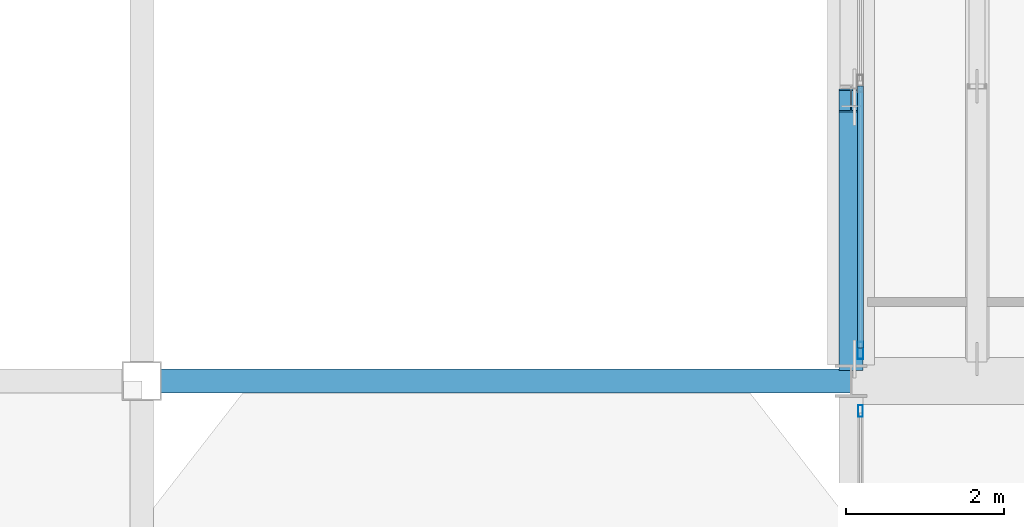
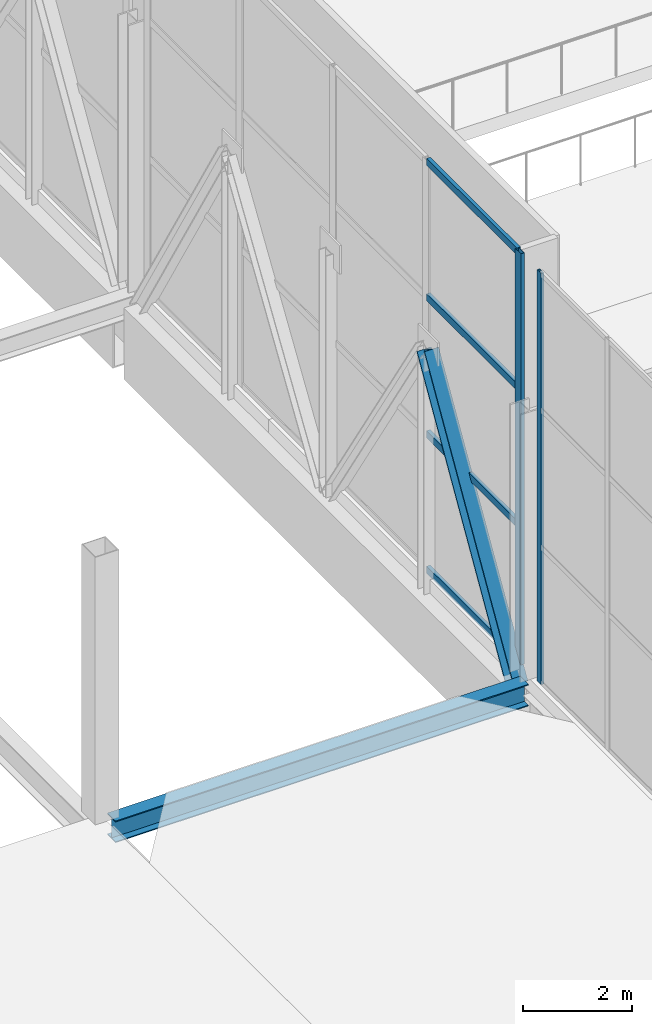
# One storey, part 29 of 191: 7 members, 1 beam, 2 elements without a shape of their own.
"""IFC4 building model written with IfcOpenShell, lengths in metres."""

from ifc_helpers import new_model, si_unit, direction, frame, origin, origin_2d, place, context, subcontext, project, spatial, hollow_rectangle, i_section, extrude, material, layer, layer_set, material_profile, profile_set, type_object, element, aggregate, save


model = new_model("IFC4")

# Units and contexts
model_context = context("Model", 3, precision=1e-05, world=origin(), true_north=direction((0.0, 1.0)))
body_context = subcontext(model_context, "Body", "Model", "MODEL_VIEW")
ifc_project = project(units=[si_unit("LENGTHUNIT", "METRE"), si_unit("AREAUNIT", "SQUARE_METRE"), si_unit("VOLUMEUNIT", "CUBIC_METRE"), si_unit("PLANEANGLEUNIT", "RADIAN"), si_unit("MASSUNIT", "GRAM", prefix="KILO")], contexts=[model_context])

# Site, building, storey
site_placement = place(None, origin())
site = spatial("IfcSite", under=ifc_project, at=site_placement, CompositionType="ELEMENT")
building_placement = place(site_placement, origin())
building = spatial("IfcBuilding", under=site, at=building_placement, Name="Tamarisk Ironworks Central Station", CompositionType="ELEMENT")
storey_placement = place(building_placement, frame((0.0, 0.0, 6.60009765625)))
storey = spatial("IfcBuildingStorey", under=building, at=storey_placement, Name="L01", CompositionType="ELEMENT", Elevation=6.60009765625)

# Beam
ifc_material_1 = material(Name="Structural steel S355J2", Category="steel")
ifc_material_profile_1 = material_profile(ifc_material_1, i_section(OverallWidth=0.300048828125, OverallDepth=0.489990234375, WebThickness=0.011962890625, FlangeThickness=0.02294921875, at=origin_2d()), Name="HEA 500")
ifc_profile_set_1 = profile_set([ifc_material_profile_1], Name="Structural steel S355J2")
beam_type = type_object("IfcBeamType", Name="BM-G05", PredefinedType="BEAM", material=ifc_profile_set_1)
beam_placement = place(storey_placement, frame((45.238037109375, 21.60009765625, -0.385009765625), z_axis=(1.0, 0.0, 0.0), x_axis=(0.0, 1.0, 0.0)))
element("IfcBeam", 1, at=beam_placement, inside=storey, type_object=beam_type, Name="L01 primary girder X-0032", PredefinedType="BEAM", context=body_context, shape_type="SweptSolid", body=[
    extrude(i_section(OverallWidth=0.300048828125, OverallDepth=0.489990234375, WebThickness=0.011962890625, FlangeThickness=0.02294921875, at=origin_2d()), origin(), (0.0, 0.0, 1.0), 8.758056640625),
])

# Curtain wall, member
ifc_material_2 = material(Name="Anodized aluminium alloy 6063-T6", Category="aluminium")
ifc_layer_1 = layer(ifc_material_2, 0.179931640625)
ifc_layer_set_1 = layer_set([ifc_layer_1], Name="Anodized aluminium alloy 6063-T6")
curtain_wall_type_1 = type_object("IfcCurtainWallType", Name="CW-06", PredefinedType="USERDEFINED", material=ifc_layer_set_1)
curtain_wall_1_placement = place(storey_placement, origin())
curtain_wall_1 = element("IfcCurtainWall", 2, at=curtain_wall_1_placement, inside=storey, type_object=curtain_wall_type_1, Name="Concourse W track-overlook curtain wall 02", ObjectType="GLAZED CURTAIN WALL", PredefinedType="USERDEFINED")
ifc_material_profile_2 = material_profile(ifc_material_2, hollow_rectangle(XDim=0.074951171875, YDim=0.219970703125, WallThickness=0.00390625, at=origin_2d()), Name="ALUM 220x75")
ifc_profile_set_2 = profile_set([ifc_material_profile_2], Name="Anodized aluminium alloy 6063-T6")
member_type_1 = type_object("IfcMemberType", Name="CWM-01", PredefinedType="MULLION", material=ifc_profile_set_2)
member_1_placement = place(storey_placement, frame((54.1201171875, 21.987548828125, 0.0), z_axis=(0.0, 0.0, 1.0), x_axis=(-1.0, 0.0, 0.0)))
member_1 = element("IfcMember", 3, at=member_1_placement, type_object=member_type_1, Name="CW06 mullion 1", PredefinedType="MULLION", context=body_context, shape_type="SweptSolid", body=[
    extrude(hollow_rectangle(XDim=0.074951171875, YDim=0.219970703125, WallThickness=0.00390625, at=origin_2d()), origin(), (0.0, 0.0, 1.0), 9.219970703125),
])

ifc_layer_2 = layer(ifc_material_2, 0.179931640625)
ifc_layer_set_2 = layer_set([ifc_layer_2], Name="Anodized aluminium alloy 6063-T6")
curtain_wall_type_2 = type_object("IfcCurtainWallType", Name="CW-05", PredefinedType="USERDEFINED", material=ifc_layer_set_2)
curtain_wall_2_placement = place(storey_placement, origin())
curtain_wall_2 = element("IfcCurtainWall", 4, at=curtain_wall_2_placement, inside=storey, type_object=curtain_wall_type_2, Name="Concourse W track-overlook curtain wall 01", ObjectType="GLAZED CURTAIN WALL", PredefinedType="USERDEFINED")
ifc_material_profile_3 = material_profile(ifc_material_2, hollow_rectangle(XDim=0.06005859375, YDim=0.14990234375, WallThickness=0.00341796875, at=origin_2d()), Name="ALUM 150x60")
ifc_profile_set_3 = profile_set([ifc_material_profile_3], Name="Anodized aluminium alloy 6063-T6")
member_type_2 = type_object("IfcMemberType", Name="CWM-03", PredefinedType="MULLION", material=ifc_profile_set_3)
member_2_placement = place(storey_placement, frame((54.1201171875, 21.219970703125, 0.0), z_axis=(0.0, 0.0, 1.0), x_axis=(-1.0, 0.0, 0.0)))
member_2 = element("IfcMember", 5, at=member_2_placement, type_object=member_type_2, Name="CW05 mullion 5", PredefinedType="MULLION", context=body_context, shape_type="SweptSolid", body=[
    extrude(hollow_rectangle(XDim=0.06005859375, YDim=0.14990234375, WallThickness=0.00341796875, at=origin_2d()), origin(), (0.0, 0.0, 1.0), 9.219970703125),
])
aggregate(curtain_wall_2, [member_2])

# Member
ifc_material_profile_4 = material_profile(ifc_material_2, hollow_rectangle(XDim=0.074951171875, YDim=0.159912109375, WallThickness=0.00390625, at=origin_2d()), Name="ALUM 160x75")
ifc_profile_set_4 = profile_set([ifc_material_profile_4], Name="Anodized aluminium alloy 6063-T6")
member_type_3 = type_object("IfcMemberType", Name="CWT-01", PredefinedType="USERDEFINED", material=ifc_profile_set_4)
member_3_placement = place(storey_placement, frame((54.1201171875, 22.02099609375, 0.037353515625), z_axis=(0.0, 1.0, 0.0), x_axis=(-1.0, 0.0, 0.0)))
member_3 = element("IfcMember", 6, at=member_3_placement, type_object=member_type_3, Name="CW06 transom 1.1", ObjectType="TRANSOM", PredefinedType="USERDEFINED", context=body_context, shape_type="SweptSolid", body=[
    extrude(hollow_rectangle(XDim=0.074951171875, YDim=0.159912109375, WallThickness=0.00390625, at=origin_2d()), origin(), (0.0, 0.0, 1.0), 3.320556640625),
])

member_4_placement = place(storey_placement, frame((54.1201171875, 22.02099609375, 3.0732421875), z_axis=(0.0, 1.0, 0.0), x_axis=(-1.0, 0.0, 0.0)))
member_4 = element("IfcMember", 7, at=member_4_placement, type_object=member_type_3, Name="CW06 transom 1.2", ObjectType="TRANSOM", PredefinedType="USERDEFINED", context=body_context, shape_type="SweptSolid", body=[
    extrude(hollow_rectangle(XDim=0.074951171875, YDim=0.159912109375, WallThickness=0.00390625, at=origin_2d()), origin(), (0.0, 0.0, 1.0), 3.320556640625),
])

member_5_placement = place(storey_placement, frame((54.1201171875, 22.02099609375, 6.146484375), z_axis=(0.0, 1.0, 0.0), x_axis=(-1.0, 0.0, 0.0)))
member_5 = element("IfcMember", 8, at=member_5_placement, type_object=member_type_3, Name="CW06 transom 1.3", ObjectType="TRANSOM", PredefinedType="USERDEFINED", context=body_context, shape_type="SweptSolid", body=[
    extrude(hollow_rectangle(XDim=0.074951171875, YDim=0.159912109375, WallThickness=0.00390625, at=origin_2d()), origin(), (0.0, 0.0, 1.0), 3.320556640625),
])

member_6_placement = place(storey_placement, frame((54.1201171875, 22.02099609375, 9.182373046875), z_axis=(0.0, 1.0, 0.0), x_axis=(-1.0, 0.0, 0.0)))
member_6 = element("IfcMember", 9, at=member_6_placement, type_object=member_type_3, Name="CW06 transom 1.4", ObjectType="TRANSOM", PredefinedType="USERDEFINED", context=body_context, shape_type="SweptSolid", body=[
    extrude(hollow_rectangle(XDim=0.074951171875, YDim=0.159912109375, WallThickness=0.00390625, at=origin_2d()), origin(), (0.0, 0.0, 1.0), 3.320556640625),
])

aggregate(curtain_wall_1, [member_1, member_3, member_4, member_5, member_6])

ifc_material_profile_5 = material_profile(ifc_material_1, i_section(OverallWidth=0.300048828125, OverallDepth=0.340087890625, WebThickness=0.011962890625, FlangeThickness=0.021484375, at=origin_2d()), Name="HEB 340")
ifc_profile_set_5 = profile_set([ifc_material_profile_5], Name="Structural steel S355J2")
member_type_4 = type_object("IfcMemberType", Name="MB-TTD01", PredefinedType="BRACE", material=ifc_profile_set_5)
member_7_placement = place(storey_placement, frame((54.0, 21.8798828125, -0.380126953125), z_axis=(0.0, 0.512200847378, 0.858865700762), x_axis=(-1.0, 0.0, 0.0)))
element("IfcMember", 10, at=member_7_placement, inside=storey, type_object=member_type_4, Name="Transfer truss diagonal 001", PredefinedType="BRACE", context=body_context, shape_type="SweptSolid", body=[
    extrude(i_section(OverallWidth=0.300048828125, OverallDepth=0.340087890625, WebThickness=0.011962890625, FlangeThickness=0.021484375, at=origin_2d()), origin(), (0.0, 0.0, 1.0), 6.40380859375),
])

save(model, "model.ifc")
